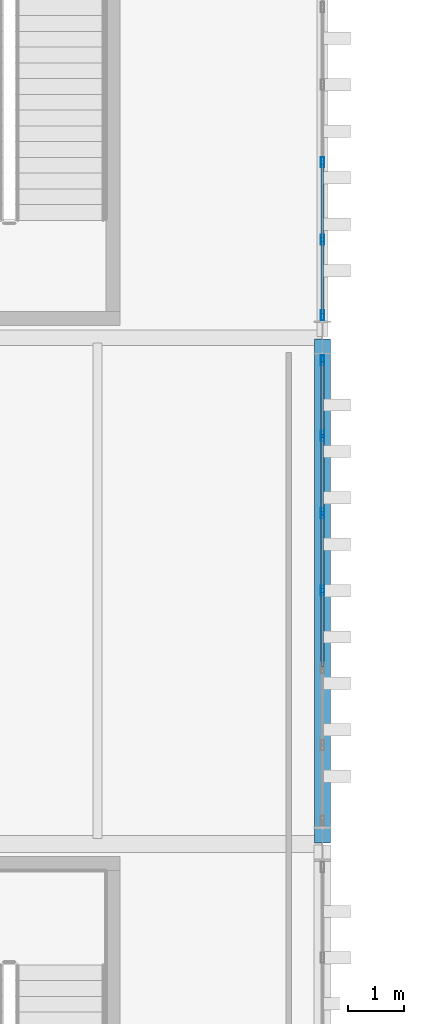
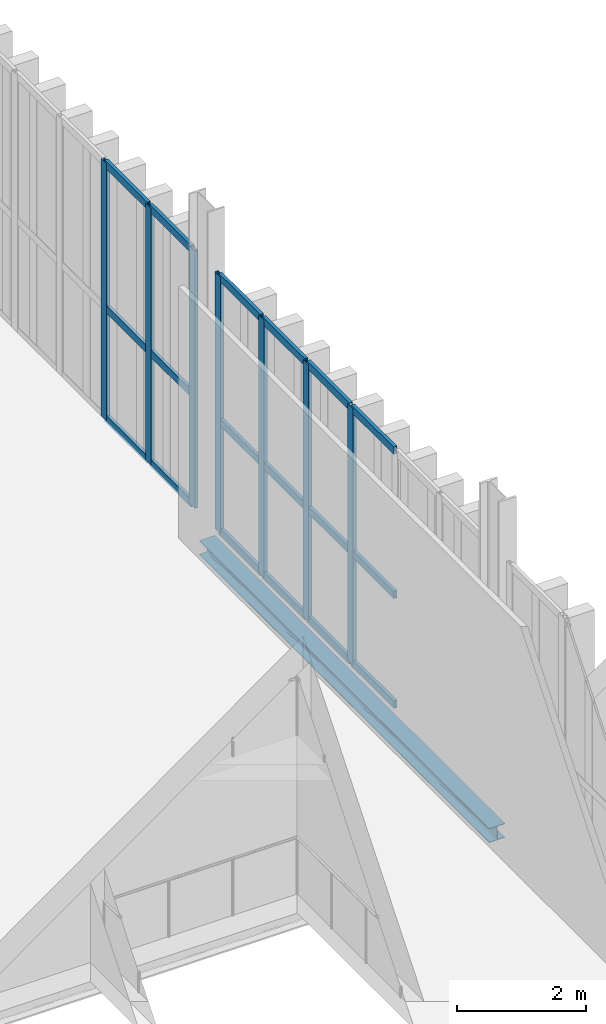
# One storey, part 163 of 237: 25 members, 1 beam, 2 elements without a shape of their own.
"""IFC4 building model written with IfcOpenShell, lengths in metres."""

from ifc_helpers import new_model, si_unit, direction, frame, origin, origin_2d, place, context, subcontext, project, spatial, hollow_rectangle, i_section, extrude, material, layer, layer_set, material_profile, profile_set, type_object, element, aggregate, save


model = new_model("IFC4")

# Units and contexts
model_context = context("Model", 3, precision=1e-05, world=origin(), true_north=direction((0.0, 1.0)))
body_context = subcontext(model_context, "Body", "Model", "MODEL_VIEW")
ifc_project = project(units=[si_unit("LENGTHUNIT", "METRE"), si_unit("AREAUNIT", "SQUARE_METRE"), si_unit("VOLUMEUNIT", "CUBIC_METRE"), si_unit("PLANEANGLEUNIT", "RADIAN"), si_unit("MASSUNIT", "GRAM", prefix="KILO")], contexts=[model_context])

# Site, building, storey
site_placement = place(None, origin())
site = spatial("IfcSite", under=ifc_project, at=site_placement, CompositionType="ELEMENT")
building_placement = place(site_placement, origin())
building = spatial("IfcBuilding", under=site, at=building_placement, Name="Barlavento Convention Centre", CompositionType="ELEMENT")
storey_placement = place(building_placement, frame((0.0, 0.0, 12.0)))
storey = spatial("IfcBuildingStorey", under=building, at=storey_placement, Name="L02", CompositionType="ELEMENT", Elevation=12.0)

# Curtain wall, members
ifc_material_1 = material(Name="Powder-coated aluminium and Low-E glass", Category="aluminium")
ifc_layer = layer(ifc_material_1, 0.195068359375)
ifc_layer_set = layer_set([ifc_layer], Name="ARC-CW-BALL-L02")
curtain_wall_type = type_object("IfcCurtainWallType", Name="ARC-CW-BALL-L02", PredefinedType="NOTDEFINED", material=ifc_layer_set)
curtain_wall_1_placement = place(storey_placement, origin())
curtain_wall_1 = element("IfcCurtainWall", 1, at=curtain_wall_1_placement, inside=storey, type_object=curtain_wall_type, Name="L02 unitised curtain wall CW07", PredefinedType="NOTDEFINED")
ifc_material_2 = material(Name="Powder-coated aluminium", Category="aluminium")
ifc_material_profile_1 = material_profile(ifc_material_2, hollow_rectangle(XDim=0.06005859375, YDim=0.179931640625, WallThickness=0.0048828125, at=origin_2d()), Name="AL-MULL 60x180x5")
ifc_profile_set_1 = profile_set([ifc_material_profile_1], Name="Powder-coated aluminium")
member_type_1 = type_object("IfcMemberType", Name="ARC-CWM-60X180", PredefinedType="MULLION", material=ifc_profile_set_1)
member_1_placement = place(storey_placement, frame((192.0, 85.5048828125, 0.0), z_axis=(0.0, 0.0, 1.0), x_axis=(-1.0, 0.0, 0.0)))
member_1 = element("IfcMember", 2, at=member_1_placement, type_object=member_type_1, Name="CW07 mullion 4", PredefinedType="MULLION", context=body_context, shape_type="SweptSolid", body=[
    extrude(hollow_rectangle(XDim=0.06005859375, YDim=0.179931640625, WallThickness=0.0048828125, at=origin_2d()), origin(), (0.0, 0.0, 1.0), 4.85009765625),
])
member_2_placement = place(storey_placement, frame((192.0, 86.8798828125, 0.0), z_axis=(0.0, 0.0, 1.0), x_axis=(-1.0, 0.0, 0.0)))
member_2 = element("IfcMember", 3, at=member_2_placement, type_object=member_type_1, Name="CW07 mullion 5", PredefinedType="MULLION", context=body_context, shape_type="SweptSolid", body=[
    extrude(hollow_rectangle(XDim=0.06005859375, YDim=0.179931640625, WallThickness=0.0048828125, at=origin_2d()), origin(), (0.0, 0.0, 1.0), 4.85009765625),
])
member_3_placement = place(storey_placement, frame((192.0, 88.2548828125, 0.0), z_axis=(0.0, 0.0, 1.0), x_axis=(-1.0, 0.0, 0.0)))
member_3 = element("IfcMember", 4, at=member_3_placement, type_object=member_type_1, Name="CW07 mullion 6", PredefinedType="MULLION", context=body_context, shape_type="SweptSolid", body=[
    extrude(hollow_rectangle(XDim=0.06005859375, YDim=0.179931640625, WallThickness=0.0048828125, at=origin_2d()), origin(), (0.0, 0.0, 1.0), 4.85009765625),
])
member_4_placement = place(storey_placement, frame((192.0, 89.60009765625, 0.0), z_axis=(0.0, 0.0, 1.0), x_axis=(-1.0, 0.0, 0.0)))
member_4 = element("IfcMember", 5, at=member_4_placement, type_object=member_type_1, Name="CW07 mullion 7", PredefinedType="MULLION", context=body_context, shape_type="SweptSolid", body=[
    extrude(hollow_rectangle(XDim=0.06005859375, YDim=0.179931640625, WallThickness=0.0048828125, at=origin_2d()), origin(), (0.0, 0.0, 1.0), 4.85009765625),
])

curtain_wall_2_placement = place(storey_placement, origin())
curtain_wall_2 = element("IfcCurtainWall", 6, at=curtain_wall_2_placement, inside=storey, type_object=curtain_wall_type, Name="L02 unitised curtain wall CW07", PredefinedType="NOTDEFINED")
member_5_placement = place(storey_placement, frame((192.0, 90.39990234375, 0.0), z_axis=(0.0, 0.0, 1.0), x_axis=(-1.0, 0.0, 0.0)))
member_5 = element("IfcMember", 7, at=member_5_placement, type_object=member_type_1, Name="CW07 mullion 1", PredefinedType="MULLION", context=body_context, shape_type="SweptSolid", body=[
    extrude(hollow_rectangle(XDim=0.06005859375, YDim=0.179931640625, WallThickness=0.0048828125, at=origin_2d()), origin(), (0.0, 0.0, 1.0), 4.85009765625),
])
member_6_placement = place(storey_placement, frame((192.0, 91.74658203125, 0.0), z_axis=(0.0, 0.0, 1.0), x_axis=(-1.0, 0.0, 0.0)))
member_6 = element("IfcMember", 8, at=member_6_placement, type_object=member_type_1, Name="CW07 mullion 2", PredefinedType="MULLION", context=body_context, shape_type="SweptSolid", body=[
    extrude(hollow_rectangle(XDim=0.06005859375, YDim=0.179931640625, WallThickness=0.0048828125, at=origin_2d()), origin(), (0.0, 0.0, 1.0), 4.85009765625),
])
member_7_placement = place(storey_placement, frame((192.0, 93.123291015625, 0.0), z_axis=(0.0, 0.0, 1.0), x_axis=(-1.0, 0.0, 0.0)))
member_7 = element("IfcMember", 9, at=member_7_placement, type_object=member_type_1, Name="CW07 mullion 3", PredefinedType="MULLION", context=body_context, shape_type="SweptSolid", body=[
    extrude(hollow_rectangle(XDim=0.06005859375, YDim=0.179931640625, WallThickness=0.0048828125, at=origin_2d()), origin(), (0.0, 0.0, 1.0), 4.85009765625),
])

# Member
ifc_material_profile_2 = material_profile(ifc_material_2, hollow_rectangle(XDim=0.06005859375, YDim=0.139892578125, WallThickness=0.00390625, at=origin_2d()), Name="AL-TRAN 60x140x4")
ifc_profile_set_2 = profile_set([ifc_material_profile_2], Name="Powder-coated aluminium")
member_type_2 = type_object("IfcMemberType", Name="ARC-CWT-60X140", PredefinedType="USERDEFINED", material=ifc_profile_set_2)
member_8_placement = place(storey_placement, frame((192.0, 84.159912109375, 0.030029296875), z_axis=(0.0, 1.0, 0.0), x_axis=(-1.0, 0.0, 0.0)))
member_8 = element("IfcMember", 10, at=member_8_placement, type_object=member_type_2, Name="CW07 transom 3.1", ObjectType="TRANSOM", PredefinedType="USERDEFINED", context=body_context, shape_type="SweptSolid", body=[
    extrude(hollow_rectangle(XDim=0.06005859375, YDim=0.139892578125, WallThickness=0.00390625, at=origin_2d()), origin(), (0.0, 0.0, 1.0), 1.315185546875),
])

member_9_placement = place(storey_placement, frame((192.0, 84.159912109375, 2.10009765625), z_axis=(0.0, 1.0, 0.0), x_axis=(-1.0, 0.0, 0.0)))
member_9 = element("IfcMember", 11, at=member_9_placement, type_object=member_type_2, Name="CW07 transom 3.2", ObjectType="TRANSOM", PredefinedType="USERDEFINED", context=body_context, shape_type="SweptSolid", body=[
    extrude(hollow_rectangle(XDim=0.06005859375, YDim=0.139892578125, WallThickness=0.00390625, at=origin_2d()), origin(), (0.0, 0.0, 1.0), 1.315185546875),
])

member_10_placement = place(storey_placement, frame((192.0, 84.159912109375, 4.820068359375), z_axis=(0.0, 1.0, 0.0), x_axis=(-1.0, 0.0, 0.0)))
member_10 = element("IfcMember", 12, at=member_10_placement, type_object=member_type_2, Name="CW07 transom 3.3", ObjectType="TRANSOM", PredefinedType="USERDEFINED", context=body_context, shape_type="SweptSolid", body=[
    extrude(hollow_rectangle(XDim=0.06005859375, YDim=0.139892578125, WallThickness=0.00390625, at=origin_2d()), origin(), (0.0, 0.0, 1.0), 1.315185546875),
])

member_11_placement = place(storey_placement, frame((192.0, 85.534912109375, 0.030029296875), z_axis=(0.0, 1.0, 0.0), x_axis=(-1.0, 0.0, 0.0)))
member_11 = element("IfcMember", 13, at=member_11_placement, type_object=member_type_2, Name="CW07 transom 4.1", ObjectType="TRANSOM", PredefinedType="USERDEFINED", context=body_context, shape_type="SweptSolid", body=[
    extrude(hollow_rectangle(XDim=0.06005859375, YDim=0.139892578125, WallThickness=0.00390625, at=origin_2d()), origin(), (0.0, 0.0, 1.0), 1.315185546875),
])

member_12_placement = place(storey_placement, frame((192.0, 85.534912109375, 2.10009765625), z_axis=(0.0, 1.0, 0.0), x_axis=(-1.0, 0.0, 0.0)))
member_12 = element("IfcMember", 14, at=member_12_placement, type_object=member_type_2, Name="CW07 transom 4.2", ObjectType="TRANSOM", PredefinedType="USERDEFINED", context=body_context, shape_type="SweptSolid", body=[
    extrude(hollow_rectangle(XDim=0.06005859375, YDim=0.139892578125, WallThickness=0.00390625, at=origin_2d()), origin(), (0.0, 0.0, 1.0), 1.315185546875),
])

member_13_placement = place(storey_placement, frame((192.0, 85.534912109375, 4.820068359375), z_axis=(0.0, 1.0, 0.0), x_axis=(-1.0, 0.0, 0.0)))
member_13 = element("IfcMember", 15, at=member_13_placement, type_object=member_type_2, Name="CW07 transom 4.3", ObjectType="TRANSOM", PredefinedType="USERDEFINED", context=body_context, shape_type="SweptSolid", body=[
    extrude(hollow_rectangle(XDim=0.06005859375, YDim=0.139892578125, WallThickness=0.00390625, at=origin_2d()), origin(), (0.0, 0.0, 1.0), 1.315185546875),
])

member_14_placement = place(storey_placement, frame((192.0, 86.909912109375, 0.030029296875), z_axis=(0.0, 1.0, 0.0), x_axis=(-1.0, 0.0, 0.0)))
member_14 = element("IfcMember", 16, at=member_14_placement, type_object=member_type_2, Name="CW07 transom 5.1", ObjectType="TRANSOM", PredefinedType="USERDEFINED", context=body_context, shape_type="SweptSolid", body=[
    extrude(hollow_rectangle(XDim=0.06005859375, YDim=0.139892578125, WallThickness=0.00390625, at=origin_2d()), origin(), (0.0, 0.0, 1.0), 1.315185546875),
])

member_15_placement = place(storey_placement, frame((192.0, 86.909912109375, 2.10009765625), z_axis=(0.0, 1.0, 0.0), x_axis=(-1.0, 0.0, 0.0)))
member_15 = element("IfcMember", 17, at=member_15_placement, type_object=member_type_2, Name="CW07 transom 5.2", ObjectType="TRANSOM", PredefinedType="USERDEFINED", context=body_context, shape_type="SweptSolid", body=[
    extrude(hollow_rectangle(XDim=0.06005859375, YDim=0.139892578125, WallThickness=0.00390625, at=origin_2d()), origin(), (0.0, 0.0, 1.0), 1.315185546875),
])

member_16_placement = place(storey_placement, frame((192.0, 86.909912109375, 4.820068359375), z_axis=(0.0, 1.0, 0.0), x_axis=(-1.0, 0.0, 0.0)))
member_16 = element("IfcMember", 18, at=member_16_placement, type_object=member_type_2, Name="CW07 transom 5.3", ObjectType="TRANSOM", PredefinedType="USERDEFINED", context=body_context, shape_type="SweptSolid", body=[
    extrude(hollow_rectangle(XDim=0.06005859375, YDim=0.139892578125, WallThickness=0.00390625, at=origin_2d()), origin(), (0.0, 0.0, 1.0), 1.315185546875),
])

member_17_placement = place(storey_placement, frame((192.0, 88.284912109375, 0.030029296875), z_axis=(0.0, 1.0, 0.0), x_axis=(-1.0, 0.0, 0.0)))
member_17 = element("IfcMember", 19, at=member_17_placement, type_object=member_type_2, Name="CW07 transom 6.1", ObjectType="TRANSOM", PredefinedType="USERDEFINED", context=body_context, shape_type="SweptSolid", body=[
    extrude(hollow_rectangle(XDim=0.06005859375, YDim=0.139892578125, WallThickness=0.00390625, at=origin_2d()), origin(), (0.0, 0.0, 1.0), 1.28515625),
])

member_18_placement = place(storey_placement, frame((192.0, 88.284912109375, 2.10009765625), z_axis=(0.0, 1.0, 0.0), x_axis=(-1.0, 0.0, 0.0)))
member_18 = element("IfcMember", 20, at=member_18_placement, type_object=member_type_2, Name="CW07 transom 6.2", ObjectType="TRANSOM", PredefinedType="USERDEFINED", context=body_context, shape_type="SweptSolid", body=[
    extrude(hollow_rectangle(XDim=0.06005859375, YDim=0.139892578125, WallThickness=0.00390625, at=origin_2d()), origin(), (0.0, 0.0, 1.0), 1.28515625),
])

member_19_placement = place(storey_placement, frame((192.0, 88.284912109375, 4.820068359375), z_axis=(0.0, 1.0, 0.0), x_axis=(-1.0, 0.0, 0.0)))
member_19 = element("IfcMember", 21, at=member_19_placement, type_object=member_type_2, Name="CW07 transom 6.3", ObjectType="TRANSOM", PredefinedType="USERDEFINED", context=body_context, shape_type="SweptSolid", body=[
    extrude(hollow_rectangle(XDim=0.06005859375, YDim=0.139892578125, WallThickness=0.00390625, at=origin_2d()), origin(), (0.0, 0.0, 1.0), 1.28515625),
])

aggregate(curtain_wall_1, [member_1, member_2, member_3, member_4, member_8, member_9, member_10, member_11, member_12, member_13, member_14, member_15, member_16, member_17, member_18, member_19])

member_20_placement = place(storey_placement, frame((192.0, 90.429931640625, 0.030029296875), z_axis=(0.0, 1.0, 0.0), x_axis=(-1.0, 0.0, 0.0)))
member_20 = element("IfcMember", 22, at=member_20_placement, type_object=member_type_2, Name="CW07 transom 1.1", ObjectType="TRANSOM", PredefinedType="USERDEFINED", context=body_context, shape_type="SweptSolid", body=[
    extrude(hollow_rectangle(XDim=0.06005859375, YDim=0.139892578125, WallThickness=0.00390625, at=origin_2d()), origin(), (0.0, 0.0, 1.0), 1.28662109375),
])

member_21_placement = place(storey_placement, frame((192.0, 90.429931640625, 2.10009765625), z_axis=(0.0, 1.0, 0.0), x_axis=(-1.0, 0.0, 0.0)))
member_21 = element("IfcMember", 23, at=member_21_placement, type_object=member_type_2, Name="CW07 transom 1.2", ObjectType="TRANSOM", PredefinedType="USERDEFINED", context=body_context, shape_type="SweptSolid", body=[
    extrude(hollow_rectangle(XDim=0.06005859375, YDim=0.139892578125, WallThickness=0.00390625, at=origin_2d()), origin(), (0.0, 0.0, 1.0), 1.28662109375),
])

member_22_placement = place(storey_placement, frame((192.0, 90.429931640625, 4.820068359375), z_axis=(0.0, 1.0, 0.0), x_axis=(-1.0, 0.0, 0.0)))
member_22 = element("IfcMember", 24, at=member_22_placement, type_object=member_type_2, Name="CW07 transom 1.3", ObjectType="TRANSOM", PredefinedType="USERDEFINED", context=body_context, shape_type="SweptSolid", body=[
    extrude(hollow_rectangle(XDim=0.06005859375, YDim=0.139892578125, WallThickness=0.00390625, at=origin_2d()), origin(), (0.0, 0.0, 1.0), 1.28662109375),
])

member_23_placement = place(storey_placement, frame((192.0, 91.776611328125, 0.030029296875), z_axis=(0.0, 1.0, 0.0), x_axis=(-1.0, 0.0, 0.0)))
member_23 = element("IfcMember", 25, at=member_23_placement, type_object=member_type_2, Name="CW07 transom 2.1", ObjectType="TRANSOM", PredefinedType="USERDEFINED", context=body_context, shape_type="SweptSolid", body=[
    extrude(hollow_rectangle(XDim=0.06005859375, YDim=0.139892578125, WallThickness=0.00390625, at=origin_2d()), origin(), (0.0, 0.0, 1.0), 1.316650390625),
])

member_24_placement = place(storey_placement, frame((192.0, 91.776611328125, 2.10009765625), z_axis=(0.0, 1.0, 0.0), x_axis=(-1.0, 0.0, 0.0)))
member_24 = element("IfcMember", 26, at=member_24_placement, type_object=member_type_2, Name="CW07 transom 2.2", ObjectType="TRANSOM", PredefinedType="USERDEFINED", context=body_context, shape_type="SweptSolid", body=[
    extrude(hollow_rectangle(XDim=0.06005859375, YDim=0.139892578125, WallThickness=0.00390625, at=origin_2d()), origin(), (0.0, 0.0, 1.0), 1.316650390625),
])

member_25_placement = place(storey_placement, frame((192.0, 91.776611328125, 4.820068359375), z_axis=(0.0, 1.0, 0.0), x_axis=(-1.0, 0.0, 0.0)))
member_25 = element("IfcMember", 27, at=member_25_placement, type_object=member_type_2, Name="CW07 transom 2.3", ObjectType="TRANSOM", PredefinedType="USERDEFINED", context=body_context, shape_type="SweptSolid", body=[
    extrude(hollow_rectangle(XDim=0.06005859375, YDim=0.139892578125, WallThickness=0.00390625, at=origin_2d()), origin(), (0.0, 0.0, 1.0), 1.316650390625),
])

aggregate(curtain_wall_2, [member_5, member_6, member_7, member_20, member_21, member_22, member_23, member_24, member_25])

# Beam
ifc_material_3 = material(Name="Steel S355", Category="steel")
ifc_material_profile_3 = material_profile(ifc_material_3, i_section(OverallWidth=0.280029296875, OverallDepth=0.27001953125, WebThickness=0.008056640625, FlangeThickness=0.012939453125, FilletRadius=0.02392578125, at=origin_2d()), Name="HEA 280")
ifc_profile_set_3 = profile_set([ifc_material_profile_3], Name="Steel S355")
beam_type = type_object("IfcBeamType", Name="STR-BM-SPN-HEA280", PredefinedType="SPANDREL", material=ifc_profile_set_3)
beam_placement = place(storey_placement, frame((192.0, 81.02001953125, -0.4951171875), z_axis=(0.0, 1.0, 0.0), x_axis=(-1.0, 0.0, 0.0)))
element("IfcBeam", 28, at=beam_placement, inside=storey, type_object=beam_type, Name="L02 grid girder SP03", PredefinedType="SPANDREL", context=body_context, shape_type="SweptSolid", body=[
    extrude(i_section(OverallWidth=0.280029296875, OverallDepth=0.27001953125, WebThickness=0.008056640625, FlangeThickness=0.012939453125, FilletRadius=0.02392578125, at=origin_2d()), origin(), (0.0, 0.0, 1.0), 8.9599609375),
])

save(model, "model.ifc")
